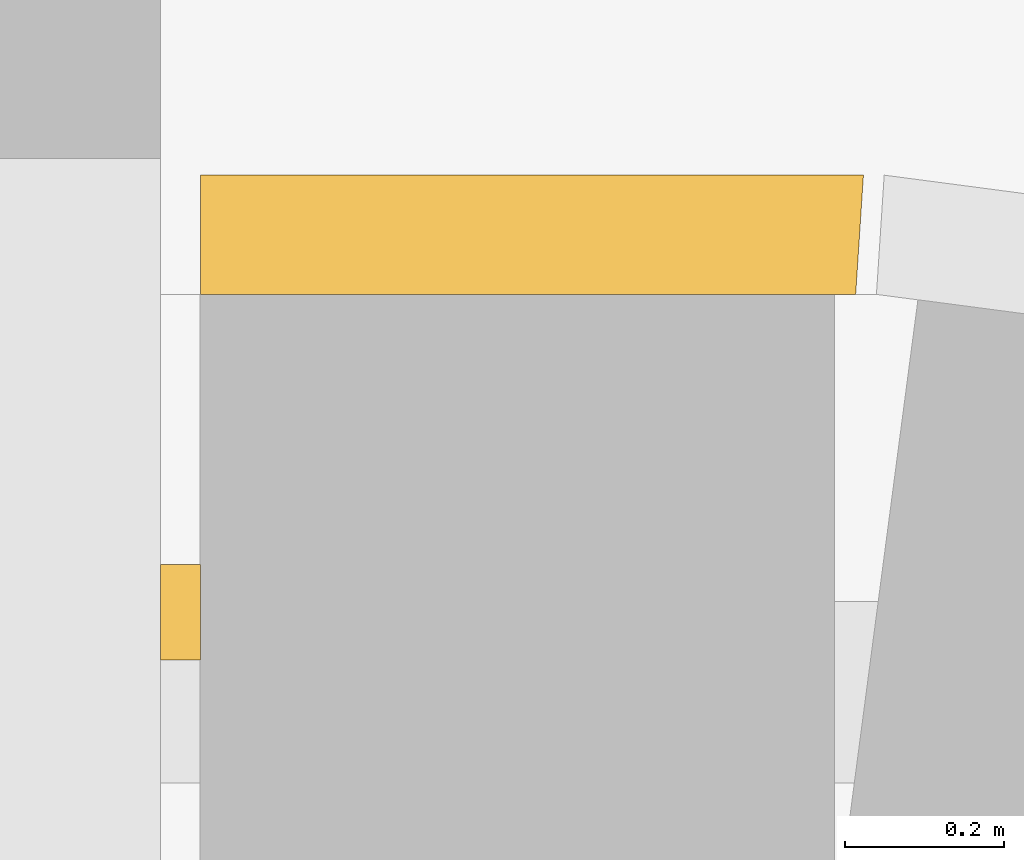
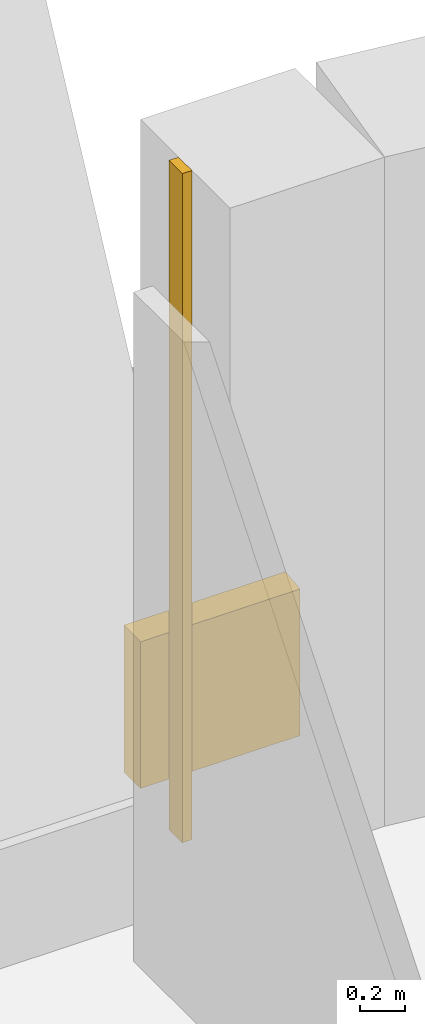
# One storey, part 24 of 25: 2 coverings.
"""IFC4 building model written with IfcOpenShell, lengths in metres."""

import ifcopenshell
import ifcopenshell.guid

model = None  # the IFC model being written
_history = None  # IfcOwnerHistory: only IFC2X3 demands one
_inside = {}  # id of a spatial element -> (the spatial element, [elements in it])
_under = {}  # id of a project, library or spatial element -> (it, [spatial elements below it])
_declared = {}  # id of a project -> (the project, [libraries it declares])
_typed = {}  # id of a type object -> (the type object, [elements of that type])
_made_of = {}  # id of a material, layer set ... -> (it, [elements and type objects made of it])


def new_model(schema):
    """Start an empty IFC model of exactly this schema.

    Asked for "IFC4X3", IfcOpenShell would pick the latest addendum, in which some entities
    have other attributes; the version numbers below select the first issue.
    IFC2X3 requires an IfcOwnerHistory on every rooted entity: one is made here for all.
    """
    global model, _history
    if schema == "IFC4X3":
        model = ifcopenshell.file(schema_version=(4, 3, 0, 0))
    else:
        model = ifcopenshell.file(schema=schema)
    _inside.clear()
    _under.clear()
    _declared.clear()
    _typed.clear()
    _made_of.clear()
    _history = None
    if model.schema == "IFC2X3":
        org = make("IfcOrganization", Name="unknown")
        user = make(
            "IfcPersonAndOrganization",
            ThePerson=make("IfcPerson", FamilyName="unknown"),
            TheOrganization=org,
        )
        app = make(
            "IfcApplication",
            ApplicationDeveloper=org,
            Version="unknown",
            ApplicationFullName="unknown",
            ApplicationIdentifier="unknown",
        )
        _history = make(
            "IfcOwnerHistory",
            OwningUser=user,
            OwningApplication=app,
            ChangeAction="ADDED",
            CreationDate=0,
        )
    return model


def make(cls, **values):
    """One entity of the class cls with the attributes given. An attribute that is None is left unset."""
    return model.create_entity(
        cls, **{name: value for name, value in values.items() if value is not None}
    )


def rooted(cls, **values):
    """An entity with a GlobalId (a new one), such as an element, a storey or a relation."""
    return make(cls, GlobalId=ifcopenshell.guid.new(), OwnerHistory=_history, **values)


def si_unit(unit_type, name, prefix=None):
    """IfcSIUnit, for example si_unit("LENGTHUNIT", "METRE", prefix="MILLI")."""
    return make("IfcSIUnit", UnitType=unit_type, Prefix=prefix, Name=name)


def assignment(units):
    """IfcUnitAssignment: the units of a project."""
    return None if units is None else make("IfcUnitAssignment", Units=units)


def point(xyz):
    """IfcCartesianPoint."""
    return None if xyz is None else make("IfcCartesianPoint", Coordinates=xyz)


def direction(xyz):
    """IfcDirection."""
    return None if xyz is None else make("IfcDirection", DirectionRatios=xyz)


def frame(location, z_axis=None, x_axis=None):
    """IfcAxis2Placement3D, a coordinate frame: its origin and axes. An axis left out is left unset."""
    return make(
        "IfcAxis2Placement3D",
        Location=point(location),
        Axis=direction(z_axis),
        RefDirection=direction(x_axis),
    )


def frame_2d(location, x_axis=None):
    """IfcAxis2Placement2D, a coordinate frame in the plane: its origin and x axis."""
    return make(
        "IfcAxis2Placement2D", Location=point(location), RefDirection=direction(x_axis)
    )


def origin():
    """The frame at (0, 0, 0) with its axes left unset."""
    return frame((0.0, 0.0, 0.0))


def origin_2d():
    """The frame at (0, 0) in the plane with its x axis left unset."""
    return frame_2d((0.0, 0.0))


def place(relative_to, where):
    """IfcLocalPlacement: puts the frame where relative to a parent placement (None: the world)."""
    return make(
        "IfcLocalPlacement", PlacementRelTo=relative_to, RelativePlacement=where
    )


def context(
    kind, dimensions, precision=None, world=None, true_north=None, identifier=None
):
    """IfcGeometricRepresentationContext, for example the 3D "Model" context."""
    return make(
        "IfcGeometricRepresentationContext",
        ContextIdentifier=identifier,
        ContextType=kind,
        CoordinateSpaceDimension=dimensions,
        Precision=precision,
        WorldCoordinateSystem=world,
        TrueNorth=true_north,
    )


def subcontext(parent, identifier, kind, view, scale=None):
    """IfcGeometricRepresentationSubContext, for example "Body" below "Model"."""
    return make(
        "IfcGeometricRepresentationSubContext",
        ContextIdentifier=identifier,
        ContextType=kind,
        ParentContext=parent,
        TargetScale=scale,
        TargetView=view,
    )


def project(units=None, contexts=None):
    """IfcProject with its units and contexts."""
    return rooted(
        "IfcProject",
        Name="project",
        RepresentationContexts=contexts,
        UnitsInContext=assignment(units),
    )


def spatial(cls, under=None, at=None, **own):
    """A site, building, storey or space (cls), placed at a placement, below another one or the project."""
    s = rooted(cls, ObjectPlacement=at, **own)
    if under is not None:
        _under.setdefault(under.id(), (under, []))[1].append(s)
    return s


def polyline(points):
    """IfcPolyline through the points."""
    return make("IfcPolyline", Points=[point(p) for p in points])


def profile(cls, at=None, kind="AREA", **sizes):
    """A parametric profile (cls). Its sizes go by their IFC names, for example OverallWidth=200.0."""
    return make(cls, ProfileType=kind, Position=at, **sizes)


def rectangle(**sizes):
    """IfcRectangleProfileDef."""
    return profile("IfcRectangleProfileDef", **sizes)


def outline(outer, holes=None, kind="AREA"):
    """IfcArbitraryClosedProfileDef: a profile drawn as a closed curve; with holes, ...WithVoids."""
    if holes is None:
        return make("IfcArbitraryClosedProfileDef", ProfileType=kind, OuterCurve=outer)
    return make(
        "IfcArbitraryProfileDefWithVoids",
        ProfileType=kind,
        OuterCurve=outer,
        InnerCurves=holes,
    )


def extrude(swept, where, along, depth):
    """IfcExtrudedAreaSolid: the profile swept, set in the frame where, extruded along a direction by depth."""
    return make(
        "IfcExtrudedAreaSolid",
        SweptArea=swept,
        Position=where,
        ExtrudedDirection=direction(along),
        Depth=depth,
    )


def shape(context_of_items, identifier, shape_type, items):
    """IfcShapeRepresentation: the items that make up one representation, for example the "Body"."""
    return make(
        "IfcShapeRepresentation",
        ContextOfItems=context_of_items,
        RepresentationIdentifier=identifier,
        RepresentationType=shape_type,
        Items=items,
    )


def material(Name=None, Category=None):
    """IfcMaterial."""
    return make("IfcMaterial", Name=Name, Category=Category)


def layer(
    of_material, thickness, ventilated=None, Name=None, Category=None, Priority=None
):
    """IfcMaterialLayer: one layer of a wall or slab, of a material (None: an air gap)."""
    return make(
        "IfcMaterialLayer",
        Material=of_material,
        LayerThickness=thickness,
        IsVentilated=ventilated,
        Name=Name,
        Category=Category,
        Priority=Priority,
    )


def layer_set(layers, Name=None):
    """IfcMaterialLayerSet."""
    return make("IfcMaterialLayerSet", MaterialLayers=layers, LayerSetName=Name)


def made_of(thing, what):
    """Note that an element or type object is made of a material, layer set ...; save() writes the relation."""
    if what is not None:
        _made_of.setdefault(what.id(), (what, []))[1].append(thing)
    return thing


def type_object(cls, material=None, **own):
    """A type object (cls), such as IfcWallType, which elements share."""
    return made_of(rooted(cls, **own), material)


def element(
    cls,
    number,
    at=None,
    inside=None,
    cuts=None,
    type_object=None,
    material=None,
    context=None,
    identifier="Body",
    shape_type=None,
    held_by="IfcProductDefinitionShape",
    body=None,
    shapes=None,
    **own,
):
    """One element of the class cls, such as IfcWall. Its Tag is "e" and its number.

    at: its placement. inside: the storey or other place that contains it. cuts: it is an
    opening in that element (IfcRelVoidsElement). A single representation is given by context,
    identifier, shape_type and body (its items); several are given by shapes. held_by: the class
    of the entity that holds the representations. save() writes the other relations.
    """
    e = rooted(cls, Tag="e%d" % number, ObjectPlacement=at, **own)
    if body is not None:
        shapes = [shape(context, identifier, shape_type, body)]
    if shapes is not None:
        e.Representation = make(held_by, Representations=shapes)
    if inside is not None:
        _inside.setdefault(inside.id(), (inside, []))[1].append(e)
    if cuts is not None:
        rooted(
            "IfcRelVoidsElement", RelatingBuildingElement=cuts, RelatedOpeningElement=e
        )
    if type_object is not None:
        _typed.setdefault(type_object.id(), (type_object, []))[1].append(e)
    return made_of(e, material)


def aggregate(whole, parts):
    """IfcRelAggregates: a whole, such as a stair, and the parts it consists of."""
    return rooted("IfcRelAggregates", RelatingObject=whole, RelatedObjects=parts)


def save(model, path):
    """Write the relations noted so far, then the file.

    IfcRelAggregates (storeys below a building ...), IfcRelContainedInSpatialStructure (elements
    in a storey), IfcRelDefinesByType, IfcRelAssociatesMaterial and IfcRelDeclares: one each for
    every whole, place, type object, material and project.
    """
    for whole, parts in _under.values():
        aggregate(whole, parts)
    for where, things in _inside.values():
        rooted(
            "IfcRelContainedInSpatialStructure",
            RelatedElements=things,
            RelatingStructure=where,
        )
    for kind, things in _typed.values():
        rooted("IfcRelDefinesByType", RelatedObjects=things, RelatingType=kind)
    for what, things in _made_of.values():
        rooted("IfcRelAssociatesMaterial", RelatedObjects=things, RelatingMaterial=what)
    for by, libraries in _declared.values():
        rooted("IfcRelDeclares", RelatingContext=by, RelatedDefinitions=libraries)
    model.write(path)


model = new_model("IFC4")

# Units and contexts
model_context = context("Model", 3, precision=1e-05, world=origin(), true_north=direction((0.0, 1.0)))
body_context = subcontext(model_context, "Body", "Model", "MODEL_VIEW")
ifc_project = project(units=[si_unit("LENGTHUNIT", "METRE"), si_unit("AREAUNIT", "SQUARE_METRE"), si_unit("VOLUMEUNIT", "CUBIC_METRE"), si_unit("PLANEANGLEUNIT", "RADIAN"), si_unit("MASSUNIT", "GRAM", prefix="KILO")], contexts=[model_context])

# Site, building, storey
site_placement = place(None, origin())
site = spatial("IfcSite", under=ifc_project, at=site_placement, CompositionType="ELEMENT")
building_placement = place(site_placement, origin())
building = spatial("IfcBuilding", under=site, at=building_placement, Name="Zellij Exchange Tower", CompositionType="ELEMENT")
storey_placement = place(building_placement, frame((0.0, 0.0, 264.5)))
storey = spatial("IfcBuildingStorey", under=building, at=storey_placement, Name="L62", CompositionType="ELEMENT", Elevation=264.5)

# Coverings
ifc_material = material(Name="Limestone cladding", Category="masonry")
ifc_layer_1 = layer(ifc_material, 0.14990234375)
ifc_layer_set_1 = layer_set([ifc_layer_1], Name="Limestone cladding")
covering_type_1 = type_object("IfcCoveringType", Name="ENV-CV1 Stone spandrel band 150", PredefinedType="CLADDING", material=ifc_layer_set_1)
covering_1_placement = place(storey_placement, origin())
element("IfcCovering", 1, at=covering_1_placement, inside=storey, type_object=covering_type_1, Name="Stone spandrel band", PredefinedType="CLADDING", context=body_context, shape_type="SweptSolid", body=[
    extrude(outline(polyline([(28.473876953125, 31.5), (27.64990234375, 31.5), (27.64990234375, 31.64990234375), (28.483642578125, 31.64990234375), (28.473876953125, 31.5)])), origin(), (0.0, 0.0, 1.0), 0.800048828125),
])
ifc_layer_2 = layer(ifc_material, 0.1201171875)
ifc_layer_set_2 = layer_set([ifc_layer_2], Name="Limestone cladding")
covering_type_2 = type_object("IfcCoveringType", Name="ENV-CV18 Glazing closer 120", PredefinedType="CLADDING", material=ifc_layer_set_2)
covering_2_placement = place(storey_placement, frame((27.625, 31.10009765625, 0.0), z_axis=(0.0, 0.0, 1.0), x_axis=(-1.0, 0.0, 0.0)))
element("IfcCovering", 2, at=covering_2_placement, inside=storey, type_object=covering_type_2, Name="Glazing closer", PredefinedType="CLADDING", context=body_context, shape_type="SweptSolid", body=[
    extrude(rectangle(XDim=0.050048828125, YDim=0.1201171875, at=origin_2d()), origin(), (0.0, 0.0, 1.0), 3.64990234375),
])

save(model, "model.ifc")
